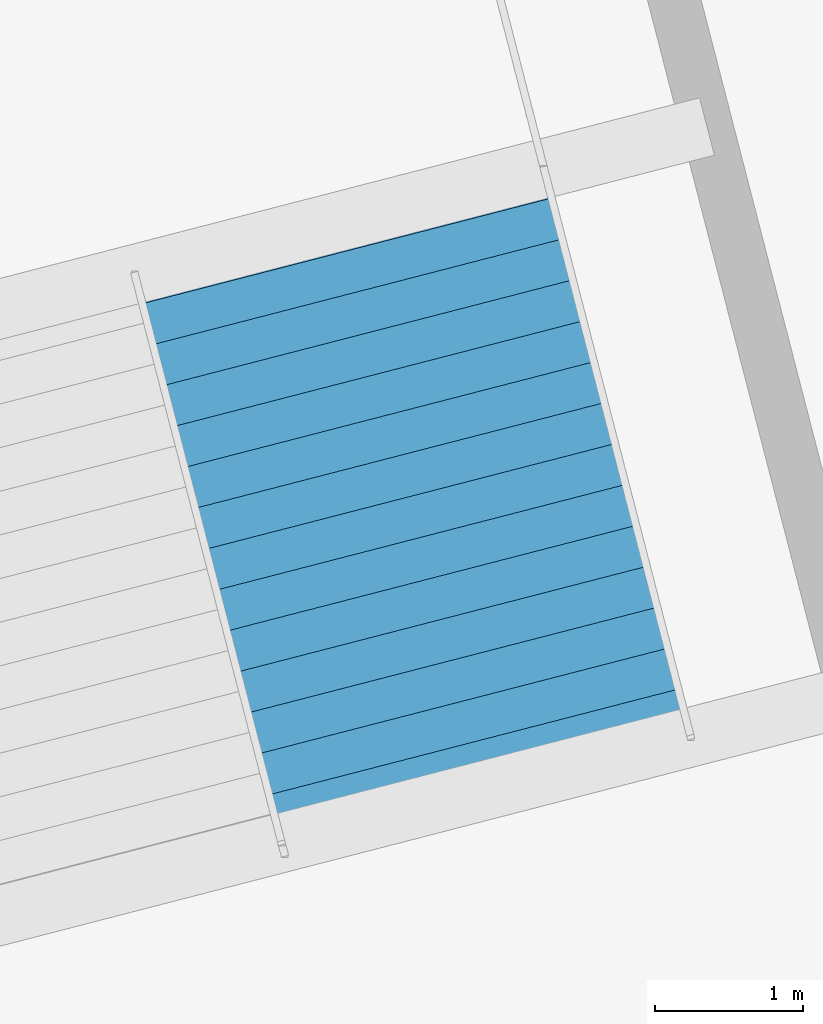
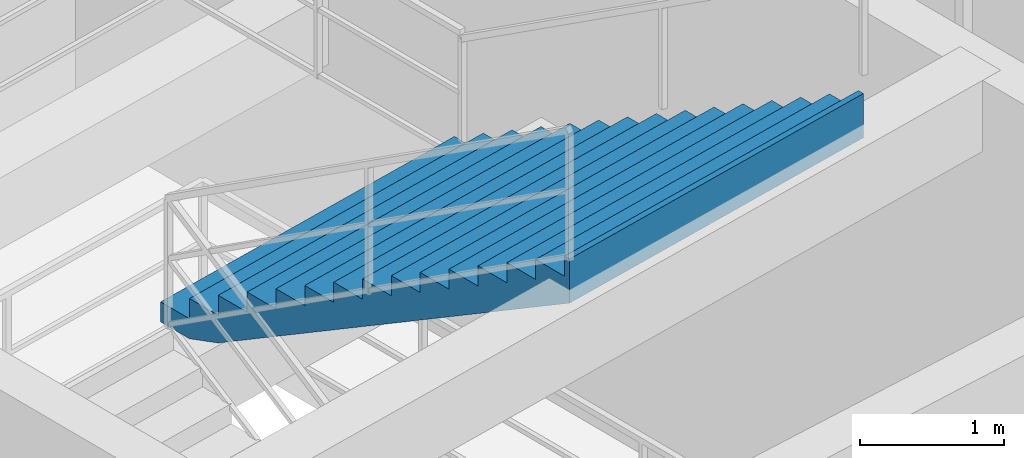
# One storey, part 166 of 184: 1 stair flight, 1 element without a shape of its own.
"""IFC4 building model written with IfcOpenShell, lengths in metres."""

import ifcopenshell
import ifcopenshell.guid

model = None  # the IFC model being written
_history = None  # IfcOwnerHistory: only IFC2X3 demands one
_inside = {}  # id of a spatial element -> (the spatial element, [elements in it])
_under = {}  # id of a project, library or spatial element -> (it, [spatial elements below it])
_declared = {}  # id of a project -> (the project, [libraries it declares])
_typed = {}  # id of a type object -> (the type object, [elements of that type])
_made_of = {}  # id of a material, layer set ... -> (it, [elements and type objects made of it])


def new_model(schema):
    """Start an empty IFC model of exactly this schema.

    Asked for "IFC4X3", IfcOpenShell would pick the latest addendum, in which some entities
    have other attributes; the version numbers below select the first issue.
    IFC2X3 requires an IfcOwnerHistory on every rooted entity: one is made here for all.
    """
    global model, _history
    if schema == "IFC4X3":
        model = ifcopenshell.file(schema_version=(4, 3, 0, 0))
    else:
        model = ifcopenshell.file(schema=schema)
    _inside.clear()
    _under.clear()
    _declared.clear()
    _typed.clear()
    _made_of.clear()
    _history = None
    if model.schema == "IFC2X3":
        org = make("IfcOrganization", Name="unknown")
        user = make(
            "IfcPersonAndOrganization",
            ThePerson=make("IfcPerson", FamilyName="unknown"),
            TheOrganization=org,
        )
        app = make(
            "IfcApplication",
            ApplicationDeveloper=org,
            Version="unknown",
            ApplicationFullName="unknown",
            ApplicationIdentifier="unknown",
        )
        _history = make(
            "IfcOwnerHistory",
            OwningUser=user,
            OwningApplication=app,
            ChangeAction="ADDED",
            CreationDate=0,
        )
    return model


def make(cls, **values):
    """One entity of the class cls with the attributes given. An attribute that is None is left unset."""
    return model.create_entity(
        cls, **{name: value for name, value in values.items() if value is not None}
    )


def rooted(cls, **values):
    """An entity with a GlobalId (a new one), such as an element, a storey or a relation."""
    return make(cls, GlobalId=ifcopenshell.guid.new(), OwnerHistory=_history, **values)


def si_unit(unit_type, name, prefix=None):
    """IfcSIUnit, for example si_unit("LENGTHUNIT", "METRE", prefix="MILLI")."""
    return make("IfcSIUnit", UnitType=unit_type, Prefix=prefix, Name=name)


def assignment(units):
    """IfcUnitAssignment: the units of a project."""
    return None if units is None else make("IfcUnitAssignment", Units=units)


def point(xyz):
    """IfcCartesianPoint."""
    return None if xyz is None else make("IfcCartesianPoint", Coordinates=xyz)


def direction(xyz):
    """IfcDirection."""
    return None if xyz is None else make("IfcDirection", DirectionRatios=xyz)


def frame(location, z_axis=None, x_axis=None):
    """IfcAxis2Placement3D, a coordinate frame: its origin and axes. An axis left out is left unset."""
    return make(
        "IfcAxis2Placement3D",
        Location=point(location),
        Axis=direction(z_axis),
        RefDirection=direction(x_axis),
    )


def origin():
    """The frame at (0, 0, 0) with its axes left unset."""
    return frame((0.0, 0.0, 0.0))


def place(relative_to, where):
    """IfcLocalPlacement: puts the frame where relative to a parent placement (None: the world)."""
    return make(
        "IfcLocalPlacement", PlacementRelTo=relative_to, RelativePlacement=where
    )


def context(
    kind, dimensions, precision=None, world=None, true_north=None, identifier=None
):
    """IfcGeometricRepresentationContext, for example the 3D "Model" context."""
    return make(
        "IfcGeometricRepresentationContext",
        ContextIdentifier=identifier,
        ContextType=kind,
        CoordinateSpaceDimension=dimensions,
        Precision=precision,
        WorldCoordinateSystem=world,
        TrueNorth=true_north,
    )


def subcontext(parent, identifier, kind, view, scale=None):
    """IfcGeometricRepresentationSubContext, for example "Body" below "Model"."""
    return make(
        "IfcGeometricRepresentationSubContext",
        ContextIdentifier=identifier,
        ContextType=kind,
        ParentContext=parent,
        TargetScale=scale,
        TargetView=view,
    )


def project(units=None, contexts=None):
    """IfcProject with its units and contexts."""
    return rooted(
        "IfcProject",
        Name="project",
        RepresentationContexts=contexts,
        UnitsInContext=assignment(units),
    )


def spatial(cls, under=None, at=None, **own):
    """A site, building, storey or space (cls), placed at a placement, below another one or the project."""
    s = rooted(cls, ObjectPlacement=at, **own)
    if under is not None:
        _under.setdefault(under.id(), (under, []))[1].append(s)
    return s


def point_list(points):
    """IfcCartesianPointList2D or 3D."""
    cls = (
        "IfcCartesianPointList2D" if len(points[0]) == 2 else "IfcCartesianPointList3D"
    )
    return make(cls, CoordList=points)


def polygons(points, faces, closed=None, point_numbers=None):
    """IfcPolygonalFaceSet: a face is its outer loop, then its inner loops; points numbered from 1."""
    made = []
    for loops in faces:
        if len(loops) == 1:
            made.append(make("IfcIndexedPolygonalFace", CoordIndex=loops[0]))
        else:
            made.append(
                make(
                    "IfcIndexedPolygonalFaceWithVoids",
                    CoordIndex=loops[0],
                    InnerCoordIndices=loops[1:],
                )
            )
    return make(
        "IfcPolygonalFaceSet",
        Coordinates=point_list(points),
        Closed=closed,
        Faces=made,
        PnIndex=point_numbers,
    )


def shape(context_of_items, identifier, shape_type, items):
    """IfcShapeRepresentation: the items that make up one representation, for example the "Body"."""
    return make(
        "IfcShapeRepresentation",
        ContextOfItems=context_of_items,
        RepresentationIdentifier=identifier,
        RepresentationType=shape_type,
        Items=items,
    )


def material(Name=None, Category=None):
    """IfcMaterial."""
    return make("IfcMaterial", Name=Name, Category=Category)


def made_of(thing, what):
    """Note that an element or type object is made of a material, layer set ...; save() writes the relation."""
    if what is not None:
        _made_of.setdefault(what.id(), (what, []))[1].append(thing)
    return thing


def type_object(cls, material=None, **own):
    """A type object (cls), such as IfcWallType, which elements share."""
    return made_of(rooted(cls, **own), material)


def element(
    cls,
    number,
    at=None,
    inside=None,
    cuts=None,
    type_object=None,
    material=None,
    context=None,
    identifier="Body",
    shape_type=None,
    held_by="IfcProductDefinitionShape",
    body=None,
    shapes=None,
    **own,
):
    """One element of the class cls, such as IfcWall. Its Tag is "e" and its number.

    at: its placement. inside: the storey or other place that contains it. cuts: it is an
    opening in that element (IfcRelVoidsElement). A single representation is given by context,
    identifier, shape_type and body (its items); several are given by shapes. held_by: the class
    of the entity that holds the representations. save() writes the other relations.
    """
    e = rooted(cls, Tag="e%d" % number, ObjectPlacement=at, **own)
    if body is not None:
        shapes = [shape(context, identifier, shape_type, body)]
    if shapes is not None:
        e.Representation = make(held_by, Representations=shapes)
    if inside is not None:
        _inside.setdefault(inside.id(), (inside, []))[1].append(e)
    if cuts is not None:
        rooted(
            "IfcRelVoidsElement", RelatingBuildingElement=cuts, RelatedOpeningElement=e
        )
    if type_object is not None:
        _typed.setdefault(type_object.id(), (type_object, []))[1].append(e)
    return made_of(e, material)


def aggregate(whole, parts):
    """IfcRelAggregates: a whole, such as a stair, and the parts it consists of."""
    return rooted("IfcRelAggregates", RelatingObject=whole, RelatedObjects=parts)


def save(model, path):
    """Write the relations noted so far, then the file.

    IfcRelAggregates (storeys below a building ...), IfcRelContainedInSpatialStructure (elements
    in a storey), IfcRelDefinesByType, IfcRelAssociatesMaterial and IfcRelDeclares: one each for
    every whole, place, type object, material and project.
    """
    for whole, parts in _under.values():
        aggregate(whole, parts)
    for where, things in _inside.values():
        rooted(
            "IfcRelContainedInSpatialStructure",
            RelatedElements=things,
            RelatingStructure=where,
        )
    for kind, things in _typed.values():
        rooted("IfcRelDefinesByType", RelatedObjects=things, RelatingType=kind)
    for what, things in _made_of.values():
        rooted("IfcRelAssociatesMaterial", RelatedObjects=things, RelatingMaterial=what)
    for by, libraries in _declared.values():
        rooted("IfcRelDeclares", RelatingContext=by, RelatedDefinitions=libraries)
    model.write(path)


model = new_model("IFC4")

# Units and contexts
model_context = context("Model", 3, precision=1e-05, world=origin(), true_north=direction((0.0, 1.0)))
body_context = subcontext(model_context, "Body", "Model", "MODEL_VIEW")
ifc_project = project(units=[si_unit("LENGTHUNIT", "METRE"), si_unit("AREAUNIT", "SQUARE_METRE"), si_unit("VOLUMEUNIT", "CUBIC_METRE"), si_unit("PLANEANGLEUNIT", "RADIAN"), si_unit("MASSUNIT", "GRAM", prefix="KILO")], contexts=[model_context])

# Site, building, storey
site_placement = place(None, origin())
site = spatial("IfcSite", under=ifc_project, at=site_placement, CompositionType="ELEMENT")
building_placement = place(site_placement, origin())
building = spatial("IfcBuilding", under=site, at=building_placement, Name="Kazemori Nagisa Stadium", CompositionType="ELEMENT")
storey_placement = place(building_placement, frame((0.0, 0.0, 10.5400390625)))
storey = spatial("IfcBuildingStorey", under=building, at=storey_placement, Name="L02", CompositionType="ELEMENT", Elevation=10.5400390625)

# Stair, stair flight
ifc_material = material(Name="Concrete C36/45 (Fc36)", Category="concrete")
stair_type = type_object("IfcStairType", Name="Stair_CORE_30", PredefinedType="TWO_STRAIGHT_RUN_STAIR", material=ifc_material)
stair_placement = place(storey_placement, origin())
stair = element("IfcStair", 1, at=stair_placement, inside=storey, type_object=stair_type, Name="Exit stair ST07 L02", PredefinedType="TWO_STRAIGHT_RUN_STAIR")
stair_flight_type = type_object("IfcStairFlightType", Name="Flight_CORE_15", PredefinedType="STRAIGHT", material=ifc_material)
stair_flight_placement = place(storey_placement, frame((209.6630859375, 127.62158203125, 2.550048828125), z_axis=(0.0, 0.0, 1.0), x_axis=(0.249957593895, -0.968256784771, 0.0)))
stair_flight = element("IfcStairFlight", 2, at=stair_flight_placement, type_object=stair_flight_type, Name="Exit stair ST07 L02 flight 2", NumberOfRisers=15, NumberOfTreads=14, PredefinedType="STRAIGHT", RiserHeight=0.17, TreadLength=0.285, context=body_context, shape_type="Tessellation", body=[
    polygons([(0.0, -1.425048828125, 0.0), (0.0, -1.425048828125, 0.169921875), (0.284912109375, -1.425048828125, 0.169921875), (0.284912109375, -1.425048828125, 0.340087890625), (0.570068359375, -1.425048828125, 0.340087890625), (0.570068359375, -1.425048828125, 0.510009765625), (0.85498046875, -1.425048828125, 0.510009765625), (0.85498046875, -1.425048828125, 0.679931640625), (1.139892578125, -1.425048828125, 0.679931640625), (1.139892578125, -1.425048828125, 0.85009765625), (1.425048828125, -1.425048828125, 0.85009765625), (1.425048828125, -1.425048828125, 1.02001953125), (1.7099609375, -1.425048828125, 1.02001953125), (1.7099609375, -1.425048828125, 1.18994140625), (1.9951171875, -1.425048828125, 1.18994140625), (1.9951171875, -1.425048828125, 1.360107421875), (2.280029296875, -1.425048828125, 1.360107421875), (2.280029296875, -1.425048828125, 1.530029296875), (2.56494140625, -1.425048828125, 1.530029296875), (2.56494140625, -1.425048828125, 1.699951171875), (2.85009765625, -1.425048828125, 1.699951171875), (2.85009765625, -1.425048828125, 1.8701171875), (3.135009765625, -1.425048828125, 1.8701171875), (3.135009765625, -1.425048828125, 2.0400390625), (3.419921875, -1.425048828125, 2.0400390625), (3.419921875, -1.425048828125, 2.2099609375), (3.705078125, -1.425048828125, 2.2099609375), (3.705078125, -1.425048828125, 2.3798828125), (3.989990234375, -1.425048828125, 2.3798828125), (3.989990234375, -1.425048828125, 2.550048828125), (4.0400390625, -1.425048828125, 2.550048828125), (4.0400390625, -1.425048828125, 2.177001953125), (3.989990234375, -1.425048828125, 2.147216796875), (3.705078125, -1.425048828125, 1.977294921875), (3.419921875, -1.425048828125, 1.80712890625), (3.135009765625, -1.425048828125, 1.63720703125), (2.85009765625, -1.425048828125, 1.46728515625), (2.56494140625, -1.425048828125, 1.297119140625), (2.280029296875, -1.425048828125, 1.127197265625), (1.9951171875, -1.425048828125, 0.957275390625), (1.7099609375, -1.425048828125, 0.787109375), (1.425048828125, -1.425048828125, 0.6171875), (1.139892578125, -1.425048828125, 0.447265625), (0.85498046875, -1.425048828125, 0.277099609375), (0.570068359375, -1.425048828125, 0.107177734375), (0.284912109375, -1.425048828125, 0.0), (0.0, -0.08544921875, 0.0), (0.0, -0.08544921875, 0.169921875), (0.284912109375, -0.08544921875, 0.169921875), (0.284912109375, -0.08544921875, 0.340087890625), (0.570068359375, -0.08544921875, 0.340087890625), (0.570068359375, -0.08544921875, 0.510009765625), (0.85498046875, -0.08544921875, 0.510009765625), (0.85498046875, -0.08544921875, 0.679931640625), (1.139892578125, -0.08544921875, 0.679931640625), (1.139892578125, -0.08544921875, 0.85009765625), (1.425048828125, -0.08544921875, 0.85009765625), (1.425048828125, -0.08544921875, 1.02001953125), (1.7099609375, -0.08544921875, 1.02001953125), (1.7099609375, -0.08544921875, 1.18994140625), (1.9951171875, -0.08544921875, 1.18994140625), (1.9951171875, -0.08544921875, 1.360107421875), (2.280029296875, -0.08544921875, 1.360107421875), (2.280029296875, -0.08544921875, 1.530029296875), (2.56494140625, -0.08544921875, 1.530029296875), (2.56494140625, -0.08544921875, 1.699951171875), (2.85009765625, -0.08544921875, 1.699951171875), (2.85009765625, -0.08544921875, 1.8701171875), (3.135009765625, -0.08544921875, 1.8701171875), (3.135009765625, -0.08544921875, 2.0400390625), (3.419921875, -0.08544921875, 2.0400390625), (3.419921875, -0.08544921875, 2.2099609375), (3.705078125, -0.08544921875, 2.2099609375), (3.705078125, -0.08544921875, 2.3798828125), (3.989990234375, -0.08544921875, 2.3798828125), (3.989990234375, -0.08544921875, 2.550048828125), (4.0400390625, -0.08544921875, 2.550048828125), (4.0400390625, -0.08544921875, 2.177001953125), (3.989990234375, -0.08544921875, 2.147216796875), (3.705078125, -0.08544921875, 1.977294921875), (3.419921875, -0.08544921875, 1.80712890625), (3.135009765625, -0.08544921875, 1.63720703125), (2.85009765625, -0.08544921875, 1.46728515625), (2.56494140625, -0.08544921875, 1.297119140625), (2.280029296875, -0.08544921875, 1.127197265625), (1.9951171875, -0.08544921875, 0.957275390625), (1.7099609375, -0.08544921875, 0.787109375), (1.425048828125, -0.08544921875, 0.6171875), (1.139892578125, -0.08544921875, 0.447265625), (0.85498046875, -0.08544921875, 0.277099609375), (0.570068359375, -0.08544921875, 0.107177734375), (0.284912109375, -0.08544921875, 0.0), (0.0, 0.0, 0.0), (0.0, 0.0, 0.169921875), (0.284912109375, 0.0, 0.169921875), (0.284912109375, 0.0, 0.340087890625), (0.570068359375, 0.0, 0.340087890625), (0.570068359375, 0.0, 0.510009765625), (0.85498046875, 0.0, 0.510009765625), (0.85498046875, 0.0, 0.679931640625), (1.139892578125, 0.0, 0.679931640625), (1.139892578125, 0.0, 0.85009765625), (1.425048828125, 0.0, 0.85009765625), (1.425048828125, 0.0, 1.02001953125), (1.7099609375, 0.0, 1.02001953125), (1.7099609375, 0.0, 1.18994140625), (1.9951171875, 0.0, 1.18994140625), (1.9951171875, 0.0, 1.360107421875), (2.280029296875, 0.0, 1.360107421875), (2.280029296875, 0.0, 1.530029296875), (2.56494140625, 0.0, 1.530029296875), (2.56494140625, 0.0, 1.699951171875), (2.85009765625, 0.0, 1.699951171875), (2.85009765625, 0.0, 1.8701171875), (3.135009765625, 0.0, 1.8701171875), (3.135009765625, 0.0, 2.0400390625), (3.419921875, 0.0, 2.0400390625), (3.419921875, 0.0, 2.2099609375), (3.705078125, 0.0, 2.2099609375), (3.705078125, 0.0, 2.3798828125), (3.989990234375, 0.0, 2.3798828125), (3.989990234375, 0.0, 2.550048828125), (4.0400390625, 0.0, 2.550048828125), (4.0400390625, 0.0, 2.177001953125), (3.989990234375, 0.0, 2.147216796875), (3.705078125, 0.0, 1.977294921875), (3.419921875, 0.0, 1.80712890625), (3.135009765625, 0.0, 1.63720703125), (2.85009765625, 0.0, 1.46728515625), (2.56494140625, 0.0, 1.297119140625), (2.280029296875, 0.0, 1.127197265625), (1.9951171875, 0.0, 0.957275390625), (1.7099609375, 0.0, 0.787109375), (1.425048828125, 0.0, 0.6171875), (1.139892578125, 0.0, 0.447265625), (0.85498046875, 0.0, 0.277099609375), (0.570068359375, 0.0, 0.107177734375), (0.284912109375, 0.0, 0.0), (0.0, 0.08544921875, 0.0), (0.0, 0.08544921875, 0.169921875), (0.284912109375, 0.08544921875, 0.169921875), (0.284912109375, 0.08544921875, 0.340087890625), (0.570068359375, 0.08544921875, 0.340087890625), (0.570068359375, 0.08544921875, 0.510009765625), (0.85498046875, 0.08544921875, 0.510009765625), (0.85498046875, 0.08544921875, 0.679931640625), (1.139892578125, 0.08544921875, 0.679931640625), (1.139892578125, 0.08544921875, 0.85009765625), (1.425048828125, 0.08544921875, 0.85009765625), (1.425048828125, 0.08544921875, 1.02001953125), (1.7099609375, 0.08544921875, 1.02001953125), (1.7099609375, 0.08544921875, 1.18994140625), (1.9951171875, 0.08544921875, 1.18994140625), (1.9951171875, 0.08544921875, 1.360107421875), (2.280029296875, 0.08544921875, 1.360107421875), (2.280029296875, 0.08544921875, 1.530029296875), (2.56494140625, 0.08544921875, 1.530029296875), (2.56494140625, 0.08544921875, 1.699951171875), (2.85009765625, 0.08544921875, 1.699951171875), (2.85009765625, 0.08544921875, 1.8701171875), (3.135009765625, 0.08544921875, 1.8701171875), (3.135009765625, 0.08544921875, 2.0400390625), (3.419921875, 0.08544921875, 2.0400390625), (3.419921875, 0.08544921875, 2.2099609375), (3.705078125, 0.08544921875, 2.2099609375), (3.705078125, 0.08544921875, 2.3798828125), (3.989990234375, 0.08544921875, 2.3798828125), (3.989990234375, 0.08544921875, 2.550048828125), (4.0400390625, 0.08544921875, 2.550048828125), (4.0400390625, 0.08544921875, 2.177001953125), (3.989990234375, 0.08544921875, 2.147216796875), (3.705078125, 0.08544921875, 1.977294921875), (3.419921875, 0.08544921875, 1.80712890625), (3.135009765625, 0.08544921875, 1.63720703125), (2.85009765625, 0.08544921875, 1.46728515625), (2.56494140625, 0.08544921875, 1.297119140625), (2.280029296875, 0.08544921875, 1.127197265625), (1.9951171875, 0.08544921875, 0.957275390625), (1.7099609375, 0.08544921875, 0.787109375), (1.425048828125, 0.08544921875, 0.6171875), (1.139892578125, 0.08544921875, 0.447265625), (0.85498046875, 0.08544921875, 0.277099609375), (0.570068359375, 0.08544921875, 0.107177734375), (0.284912109375, 0.08544921875, 0.0), (0.0, 1.425048828125, 0.0), (0.0, 1.425048828125, 0.169921875), (0.284912109375, 1.425048828125, 0.169921875), (0.284912109375, 1.425048828125, 0.340087890625), (0.570068359375, 1.425048828125, 0.340087890625), (0.570068359375, 1.425048828125, 0.510009765625), (0.85498046875, 1.425048828125, 0.510009765625), (0.85498046875, 1.425048828125, 0.679931640625), (1.139892578125, 1.425048828125, 0.679931640625), (1.139892578125, 1.425048828125, 0.85009765625), (1.425048828125, 1.425048828125, 0.85009765625), (1.425048828125, 1.425048828125, 1.02001953125), (1.7099609375, 1.425048828125, 1.02001953125), (1.7099609375, 1.425048828125, 1.18994140625), (1.9951171875, 1.425048828125, 1.18994140625), (1.9951171875, 1.425048828125, 1.360107421875), (2.280029296875, 1.425048828125, 1.360107421875), (2.280029296875, 1.425048828125, 1.530029296875), (2.56494140625, 1.425048828125, 1.530029296875), (2.56494140625, 1.425048828125, 1.699951171875), (2.85009765625, 1.425048828125, 1.699951171875), (2.85009765625, 1.425048828125, 1.8701171875), (3.135009765625, 1.425048828125, 1.8701171875), (3.135009765625, 1.425048828125, 2.0400390625), (3.419921875, 1.425048828125, 2.0400390625), (3.419921875, 1.425048828125, 2.2099609375), (3.705078125, 1.425048828125, 2.2099609375), (3.705078125, 1.425048828125, 2.3798828125), (3.989990234375, 1.425048828125, 2.3798828125), (3.989990234375, 1.425048828125, 2.550048828125), (4.0400390625, 1.425048828125, 2.550048828125), (4.0400390625, 1.425048828125, 2.177001953125), (3.989990234375, 1.425048828125, 2.147216796875), (3.705078125, 1.425048828125, 1.977294921875), (3.419921875, 1.425048828125, 1.80712890625), (3.135009765625, 1.425048828125, 1.63720703125), (2.85009765625, 1.425048828125, 1.46728515625), (2.56494140625, 1.425048828125, 1.297119140625), (2.280029296875, 1.425048828125, 1.127197265625), (1.9951171875, 1.425048828125, 0.957275390625), (1.7099609375, 1.425048828125, 0.787109375), (1.425048828125, 1.425048828125, 0.6171875), (1.139892578125, 1.425048828125, 0.447265625), (0.85498046875, 1.425048828125, 0.277099609375), (0.570068359375, 1.425048828125, 0.107177734375), (0.284912109375, 1.425048828125, 0.0)], [[[1, 2, 48]], [[1, 48, 47]], [[2, 3, 49]], [[2, 49, 48]], [[3, 4, 50]], [[3, 50, 49]], [[4, 5, 51]], [[4, 51, 50]], [[5, 6, 52]], [[5, 52, 51]], [[6, 7, 53]], [[6, 53, 52]], [[7, 8, 54]], [[7, 54, 53]], [[8, 9, 55]], [[8, 55, 54]], [[9, 10, 56]], [[9, 56, 55]], [[10, 11, 57]], [[10, 57, 56]], [[11, 12, 58]], [[11, 58, 57]], [[12, 13, 59]], [[12, 59, 58]], [[13, 14, 60]], [[13, 60, 59]], [[14, 15, 61]], [[14, 61, 60]], [[15, 16, 62]], [[15, 62, 61]], [[16, 17, 63]], [[16, 63, 62]], [[17, 18, 64]], [[17, 64, 63]], [[18, 19, 65]], [[18, 65, 64]], [[19, 20, 66]], [[19, 66, 65]], [[20, 21, 67]], [[20, 67, 66]], [[21, 22, 68]], [[21, 68, 67]], [[22, 23, 69]], [[22, 69, 68]], [[23, 24, 70]], [[23, 70, 69]], [[24, 25, 71]], [[24, 71, 70]], [[25, 26, 72]], [[25, 72, 71]], [[26, 27, 73]], [[26, 73, 72]], [[27, 28, 74]], [[27, 74, 73]], [[28, 29, 75]], [[28, 75, 74]], [[29, 30, 76]], [[29, 76, 75]], [[30, 31, 77]], [[30, 77, 76]], [[31, 32, 78]], [[31, 78, 77]], [[32, 33, 79]], [[32, 79, 78]], [[33, 34, 80]], [[33, 80, 79]], [[34, 35, 81]], [[34, 81, 80]], [[35, 36, 82]], [[35, 82, 81]], [[36, 37, 83]], [[36, 83, 82]], [[37, 38, 84]], [[37, 84, 83]], [[38, 39, 85]], [[38, 85, 84]], [[39, 40, 86]], [[39, 86, 85]], [[40, 41, 87]], [[40, 87, 86]], [[41, 42, 88]], [[41, 88, 87]], [[42, 43, 89]], [[42, 89, 88]], [[43, 44, 90]], [[43, 90, 89]], [[44, 45, 91]], [[44, 91, 90]], [[45, 46, 92]], [[45, 92, 91]], [[46, 1, 47]], [[46, 47, 92]], [[47, 48, 94]], [[47, 94, 93]], [[48, 49, 95]], [[48, 95, 94]], [[49, 50, 96]], [[49, 96, 95]], [[50, 51, 97]], [[50, 97, 96]], [[51, 52, 98]], [[51, 98, 97]], [[52, 53, 99]], [[52, 99, 98]], [[53, 54, 100]], [[53, 100, 99]], [[54, 55, 101]], [[54, 101, 100]], [[55, 56, 102]], [[55, 102, 101]], [[56, 57, 103]], [[56, 103, 102]], [[57, 58, 104]], [[57, 104, 103]], [[58, 59, 105]], [[58, 105, 104]], [[59, 60, 106]], [[59, 106, 105]], [[60, 61, 107]], [[60, 107, 106]], [[61, 62, 108]], [[61, 108, 107]], [[62, 63, 109]], [[62, 109, 108]], [[63, 64, 110]], [[63, 110, 109]], [[64, 65, 111]], [[64, 111, 110]], [[65, 66, 112]], [[65, 112, 111]], [[66, 67, 113]], [[66, 113, 112]], [[67, 68, 114]], [[67, 114, 113]], [[68, 69, 115]], [[68, 115, 114]], [[69, 70, 116]], [[69, 116, 115]], [[70, 71, 117]], [[70, 117, 116]], [[71, 72, 118]], [[71, 118, 117]], [[72, 73, 119]], [[72, 119, 118]], [[73, 74, 120]], [[73, 120, 119]], [[74, 75, 121]], [[74, 121, 120]], [[75, 76, 122]], [[75, 122, 121]], [[76, 77, 123]], [[76, 123, 122]], [[77, 78, 124]], [[77, 124, 123]], [[78, 79, 125]], [[78, 125, 124]], [[79, 80, 126]], [[79, 126, 125]], [[80, 81, 127]], [[80, 127, 126]], [[81, 82, 128]], [[81, 128, 127]], [[82, 83, 129]], [[82, 129, 128]], [[83, 84, 130]], [[83, 130, 129]], [[84, 85, 131]], [[84, 131, 130]], [[85, 86, 132]], [[85, 132, 131]], [[86, 87, 133]], [[86, 133, 132]], [[87, 88, 134]], [[87, 134, 133]], [[88, 89, 135]], [[88, 135, 134]], [[89, 90, 136]], [[89, 136, 135]], [[90, 91, 137]], [[90, 137, 136]], [[91, 92, 138]], [[91, 138, 137]], [[92, 47, 93]], [[92, 93, 138]], [[93, 94, 140]], [[93, 140, 139]], [[94, 95, 141]], [[94, 141, 140]], [[95, 96, 142]], [[95, 142, 141]], [[96, 97, 143]], [[96, 143, 142]], [[97, 98, 144]], [[97, 144, 143]], [[98, 99, 145]], [[98, 145, 144]], [[99, 100, 146]], [[99, 146, 145]], [[100, 101, 147]], [[100, 147, 146]], [[101, 102, 148]], [[101, 148, 147]], [[102, 103, 149]], [[102, 149, 148]], [[103, 104, 150]], [[103, 150, 149]], [[104, 105, 151]], [[104, 151, 150]], [[105, 106, 152]], [[105, 152, 151]], [[106, 107, 153]], [[106, 153, 152]], [[107, 108, 154]], [[107, 154, 153]], [[108, 109, 155]], [[108, 155, 154]], [[109, 110, 156]], [[109, 156, 155]], [[110, 111, 157]], [[110, 157, 156]], [[111, 112, 158]], [[111, 158, 157]], [[112, 113, 159]], [[112, 159, 158]], [[113, 114, 160]], [[113, 160, 159]], [[114, 115, 161]], [[114, 161, 160]], [[115, 116, 162]], [[115, 162, 161]], [[116, 117, 163]], [[116, 163, 162]], [[117, 118, 164]], [[117, 164, 163]], [[118, 119, 165]], [[118, 165, 164]], [[119, 120, 166]], [[119, 166, 165]], [[120, 121, 167]], [[120, 167, 166]], [[121, 122, 168]], [[121, 168, 167]], [[122, 123, 169]], [[122, 169, 168]], [[123, 124, 170]], [[123, 170, 169]], [[124, 125, 171]], [[124, 171, 170]], [[125, 126, 172]], [[125, 172, 171]], [[126, 127, 173]], [[126, 173, 172]], [[127, 128, 174]], [[127, 174, 173]], [[128, 129, 175]], [[128, 175, 174]], [[129, 130, 176]], [[129, 176, 175]], [[130, 131, 177]], [[130, 177, 176]], [[131, 132, 178]], [[131, 178, 177]], [[132, 133, 179]], [[132, 179, 178]], [[133, 134, 180]], [[133, 180, 179]], [[134, 135, 181]], [[134, 181, 180]], [[135, 136, 182]], [[135, 182, 181]], [[136, 137, 183]], [[136, 183, 182]], [[137, 138, 184]], [[137, 184, 183]], [[138, 93, 139]], [[138, 139, 184]], [[139, 140, 186]], [[139, 186, 185]], [[140, 141, 187]], [[140, 187, 186]], [[141, 142, 188]], [[141, 188, 187]], [[142, 143, 189]], [[142, 189, 188]], [[143, 144, 190]], [[143, 190, 189]], [[144, 145, 191]], [[144, 191, 190]], [[145, 146, 192]], [[145, 192, 191]], [[146, 147, 193]], [[146, 193, 192]], [[147, 148, 194]], [[147, 194, 193]], [[148, 149, 195]], [[148, 195, 194]], [[149, 150, 196]], [[149, 196, 195]], [[150, 151, 197]], [[150, 197, 196]], [[151, 152, 198]], [[151, 198, 197]], [[152, 153, 199]], [[152, 199, 198]], [[153, 154, 200]], [[153, 200, 199]], [[154, 155, 201]], [[154, 201, 200]], [[155, 156, 202]], [[155, 202, 201]], [[156, 157, 203]], [[156, 203, 202]], [[157, 158, 204]], [[157, 204, 203]], [[158, 159, 205]], [[158, 205, 204]], [[159, 160, 206]], [[159, 206, 205]], [[160, 161, 207]], [[160, 207, 206]], [[161, 162, 208]], [[161, 208, 207]], [[162, 163, 209]], [[162, 209, 208]], [[163, 164, 210]], [[163, 210, 209]], [[164, 165, 211]], [[164, 211, 210]], [[165, 166, 212]], [[165, 212, 211]], [[166, 167, 213]], [[166, 213, 212]], [[167, 168, 214]], [[167, 214, 213]], [[168, 169, 215]], [[168, 215, 214]], [[169, 170, 216]], [[169, 216, 215]], [[170, 171, 217]], [[170, 217, 216]], [[171, 172, 218]], [[171, 218, 217]], [[172, 173, 219]], [[172, 219, 218]], [[173, 174, 220]], [[173, 220, 219]], [[174, 175, 221]], [[174, 221, 220]], [[175, 176, 222]], [[175, 222, 221]], [[176, 177, 223]], [[176, 223, 222]], [[177, 178, 224]], [[177, 224, 223]], [[178, 179, 225]], [[178, 225, 224]], [[179, 180, 226]], [[179, 226, 225]], [[180, 181, 227]], [[180, 227, 226]], [[181, 182, 228]], [[181, 228, 227]], [[182, 183, 229]], [[182, 229, 228]], [[183, 184, 230]], [[183, 230, 229]], [[184, 139, 185]], [[184, 185, 230]], [[3, 2, 1]], [[185, 186, 187]], [[46, 3, 1]], [[185, 187, 230]], [[45, 3, 46]], [[230, 187, 229]], [[5, 3, 45]], [[229, 187, 189]], [[5, 4, 3]], [[187, 188, 189]], [[44, 5, 45]], [[229, 189, 228]], [[7, 5, 44]], [[228, 189, 191]], [[7, 6, 5]], [[189, 190, 191]], [[43, 7, 44]], [[228, 191, 227]], [[9, 7, 43]], [[227, 191, 193]], [[9, 8, 7]], [[191, 192, 193]], [[42, 9, 43]], [[227, 193, 226]], [[11, 9, 42]], [[226, 193, 195]], [[11, 10, 9]], [[193, 194, 195]], [[41, 11, 42]], [[226, 195, 225]], [[13, 11, 41]], [[225, 195, 197]], [[13, 12, 11]], [[195, 196, 197]], [[40, 13, 41]], [[225, 197, 224]], [[15, 13, 40]], [[224, 197, 199]], [[15, 14, 13]], [[197, 198, 199]], [[39, 15, 40]], [[224, 199, 223]], [[17, 15, 39]], [[223, 199, 201]], [[17, 16, 15]], [[199, 200, 201]], [[38, 17, 39]], [[223, 201, 222]], [[19, 17, 38]], [[222, 201, 203]], [[19, 18, 17]], [[201, 202, 203]], [[37, 19, 38]], [[222, 203, 221]], [[21, 19, 37]], [[221, 203, 205]], [[21, 20, 19]], [[203, 204, 205]], [[36, 21, 37]], [[221, 205, 220]], [[23, 21, 36]], [[220, 205, 207]], [[23, 22, 21]], [[205, 206, 207]], [[35, 23, 36]], [[220, 207, 219]], [[25, 23, 35]], [[219, 207, 209]], [[25, 24, 23]], [[207, 208, 209]], [[34, 25, 35]], [[219, 209, 218]], [[27, 25, 34]], [[218, 209, 211]], [[27, 26, 25]], [[209, 210, 211]], [[33, 27, 34]], [[218, 211, 217]], [[29, 27, 33]], [[217, 211, 213]], [[29, 28, 27]], [[211, 212, 213]], [[32, 29, 33]], [[217, 213, 216]], [[31, 29, 32]], [[216, 213, 215]], [[31, 30, 29]], [[213, 214, 215]]], closed=True),
])
aggregate(stair, [stair_flight])

save(model, "model.ifc")
